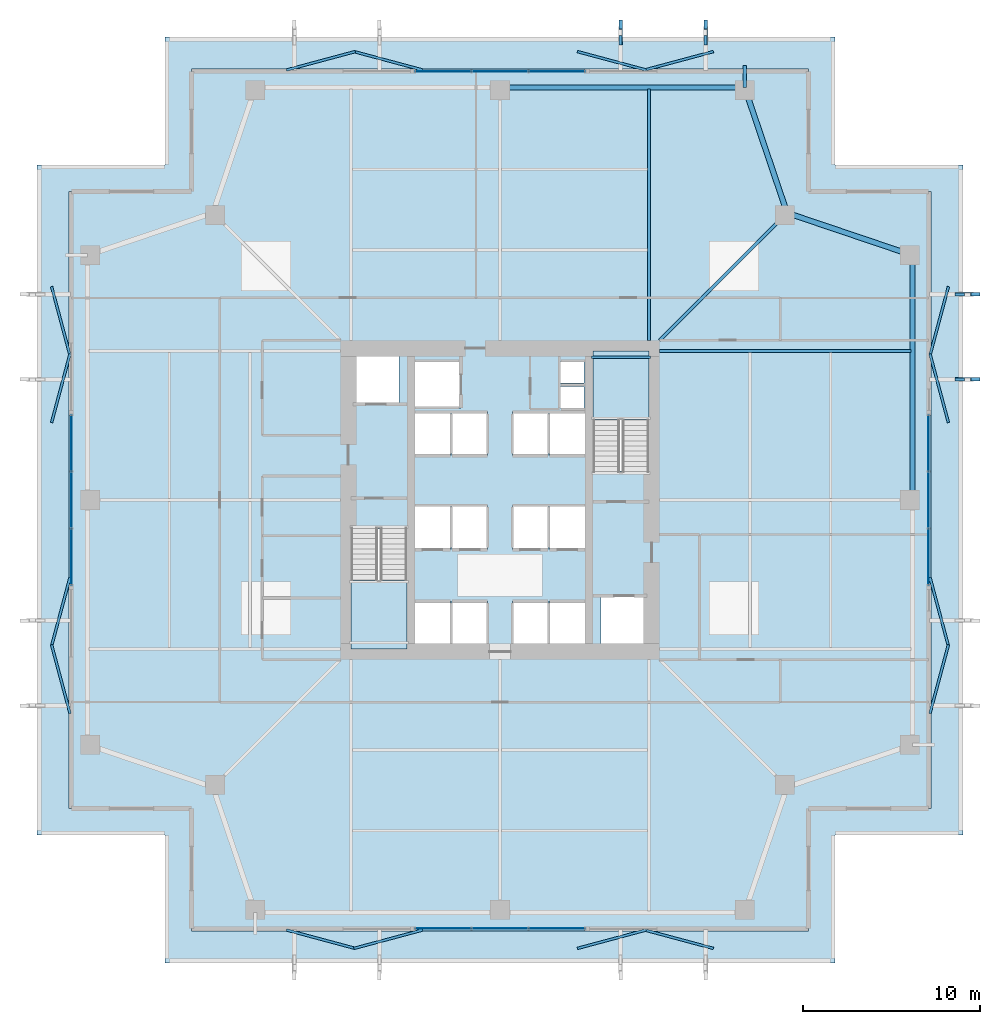
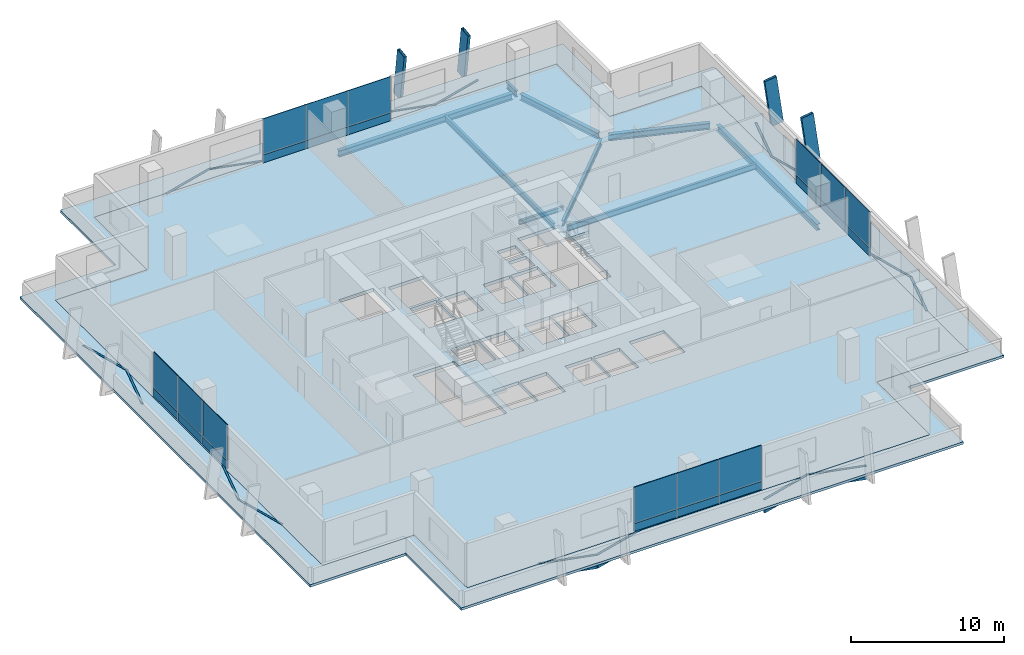
# One storey, part 11 of 16: 40 plates, 9 beams, 4 members, 4 slabs, 6 elements without a shape of their own.
"""IFC4 building model written with IfcOpenShell, lengths in metres."""

from ifc_helpers import new_model, si_unit, direction, frame, origin, origin_2d, place, context, subcontext, project, spatial, polyline, rectangle, hollow_rectangle, i_section, outline, extrude, material, layer, layer_set, material_profile, profile_set, type_object, element, aggregate, save


model = new_model("IFC4")

# Units and contexts
model_context = context("Model", 3, precision=1e-05, world=origin(), true_north=direction((0.0, 1.0)))
body_context = subcontext(model_context, "Body", "Model", "MODEL_VIEW")
ifc_project = project(units=[si_unit("LENGTHUNIT", "METRE"), si_unit("AREAUNIT", "SQUARE_METRE"), si_unit("VOLUMEUNIT", "CUBIC_METRE"), si_unit("PLANEANGLEUNIT", "RADIAN"), si_unit("MASSUNIT", "GRAM", prefix="KILO")], contexts=[model_context])

# Site, building, storey
site_placement = place(None, origin())
site = spatial("IfcSite", under=ifc_project, at=site_placement, CompositionType="ELEMENT")
building_placement = place(site_placement, origin())
building = spatial("IfcBuilding", under=site, at=building_placement, Name="Belovzor Exchange Tower", CompositionType="ELEMENT")
storey_placement = place(building_placement, frame((0.0, 0.0, 138.300048828125)))
storey = spatial("IfcBuildingStorey", under=building, at=storey_placement, Name="L33", CompositionType="ELEMENT", Elevation=138.300048828125)

# Beams
ifc_material_1 = material(Name="Steel S355", Category="steel")
ifc_material_profile_1 = material_profile(ifc_material_1, i_section(OverallWidth=0.199951171875, OverallDepth=0.5, WebThickness=0.01025390625, FlangeThickness=0.01611328125, at=origin_2d()))
ifc_profile_set_1 = profile_set([ifc_material_profile_1], Name="Steel S355")
beam_type_1 = type_object("IfcBeamType", Name="Planted Balcony Cantilever Beam IPE 500", PredefinedType="BEAM", material=ifc_profile_set_1)
beam_1_placement = place(storey_placement, frame((42.60009765625, 52.068115234375, -0.505126953125), z_axis=(0.0, 1.0, 0.0), x_axis=(-1.0, 0.0, 0.0)))
element("IfcBeam", 1, at=beam_1_placement, inside=storey, type_object=beam_type_1, Name="BC-500 Planted Balcony Cantilever Beam IPE 500", PredefinedType="BEAM", context=body_context, shape_type="SweptSolid", body=[
    extrude(i_section(OverallWidth=0.199951171875, OverallDepth=0.5, WebThickness=0.01025390625, FlangeThickness=0.01611328125, at=origin_2d()), origin(), (0.0, 0.0, 1.0), 1.23193359375),
])
ifc_material_2 = material(Name="Steel S355", Category="steel")
ifc_material_profile_2 = material_profile(ifc_material_2, i_section(OverallWidth=0.14990234375, OverallDepth=0.300048828125, WebThickness=0.007080078125, FlangeThickness=0.0107421875, at=origin_2d()))
ifc_profile_set_2 = profile_set([ifc_material_profile_2], Name="Steel S355")
beam_type_2 = type_object("IfcBeamType", Name="Secondary Trim Floor Joist IPE 300", PredefinedType="BEAM", material=ifc_profile_set_2)
beam_2_placement = place(storey_placement, frame((37.280029296875, 36.85009765625, 1.52490234375), z_axis=(-1.0, 0.0, 0.0), x_axis=(0.0, -1.0, 0.0)))
element("IfcBeam", 2, at=beam_2_placement, inside=storey, type_object=beam_type_2, Name="FJ-300 Secondary Trim Floor Joist IPE 300", PredefinedType="BEAM", context=body_context, shape_type="SweptSolid", body=[
    extrude(i_section(OverallWidth=0.14990234375, OverallDepth=0.300048828125, WebThickness=0.007080078125, FlangeThickness=0.0107421875, at=origin_2d()), origin(), (0.0, 0.0, 1.0), 3.31005859375),
])

# Members
ifc_material_3 = material(Name="Extruded Architectural Terracotta on Steel S355 Carrier", Category="masonry")
ifc_material_profile_3 = material_profile(ifc_material_3, hollow_rectangle(XDim=0.199951171875, YDim=0.89990234375, WallThickness=0.011962890625, at=origin_2d()))
ifc_profile_set_3 = profile_set([ifc_material_profile_3], Name="Extruded Architectural Terracotta on Steel S355 Carrier")
member_type = type_object("IfcMemberType", Name="Sweeping Terracotta Baguette Fin Assembly 1250", PredefinedType="USERDEFINED", material=ifc_profile_set_3)
for number, where, z_axis, x_axis, name in (
    (3, (35.60009765625, 55.425048828125, -0.255126953125), (0.0, -0.136851262382, 0.990591607063), (1.0, 0.0, 0.0), "FIN-TC125 Terracotta Facade Fin L33 N3"),
    (4, (55.425048828125, 35.60009765625, -0.255126953125), (-0.136851262382, 0.0, 0.990591607063), (0.0, -1.0, 0.0), "FIN-TC125 Terracotta Facade Fin L33 E3"),
    (5, (40.39990234375, 55.425048828125, -0.255126953125), (0.0, -0.136851262382, 0.990591607063), (1.0, 0.0, 0.0), "FIN-TC125 Terracotta Facade Fin L33 N4"),
    (6, (55.425048828125, 40.39990234375, -0.255126953125), (-0.136851262382, 0.0, 0.990591607063), (0.0, -1.0, 0.0), "FIN-TC125 Terracotta Facade Fin L33 E4"),
):
    element("IfcMember", number, at=place(storey_placement, frame(where, z_axis=z_axis, x_axis=x_axis)), inside=storey, type_object=member_type, Name=name, ObjectType="FIN", PredefinedType="USERDEFINED", context=body_context, shape_type="SweptSolid", body=[
        extrude(hollow_rectangle(XDim=0.199951171875, YDim=0.89990234375, WallThickness=0.011962890625, at=origin_2d()), origin(), (0.0, 0.0, 1.0), 3.78564453125),
    ])

# Beams
ifc_material_4 = material(Name="Steel S355", Category="steel")
ifc_material_profile_4 = material_profile(ifc_material_4, i_section(OverallWidth=0.18994140625, OverallDepth=0.449951171875, WebThickness=0.009521484375, FlangeThickness=0.0146484375, at=origin_2d()))
ifc_profile_set_4 = profile_set([ifc_material_profile_4], Name="Steel S355")
beam_type_3 = type_object("IfcBeamType", Name="Zone 2-4 Radial Composite Floor Beam IPE 450", PredefinedType="BEAM", material=ifc_profile_set_4)
for number, where, z_axis, x_axis, name in (
    (7, (37.199951171875, 37.800048828125, -0.47998046875), (0.0, 1.0, 0.0), (-1.0, 0.0, 0.0), "FB-450 Zone 2-4 Radial Composite Floor Beam IPE 450"),
    (8, (37.800048828125, 37.199951171875, -0.47998046875), (1.0, 0.0, 0.0), (0.0, 1.0, 0.0), "FB-450 Zone 2-4 Radial Composite Floor Beam IPE 450"),
):
    element("IfcBeam", number, at=place(storey_placement, frame(where, z_axis=z_axis, x_axis=x_axis)), inside=storey, type_object=beam_type_3, Name=name, PredefinedType="BEAM", context=body_context, shape_type="SweptSolid", body=[
        extrude(i_section(OverallWidth=0.18994140625, OverallDepth=0.449951171875, WebThickness=0.009521484375, FlangeThickness=0.0146484375, at=origin_2d()), origin(), (0.0, 0.0, 1.0), 14.19287109375),
    ])
beam_3_placement = place(storey_placement, frame((37.800048828125, 37.800048828125, -0.47998046875), z_axis=(0.707106781187, 0.707106781187, 0.0), x_axis=(-0.707106781187, 0.707106781187, 0.0)))
element("IfcBeam", 9, at=beam_3_placement, inside=storey, type_object=beam_type_3, Name="FB-450 Zone 2-4 Radial Composite Floor Beam IPE 450", PredefinedType="BEAM", context=body_context, shape_type="SweptSolid", body=[
    extrude(i_section(OverallWidth=0.18994140625, OverallDepth=0.449951171875, WebThickness=0.009521484375, FlangeThickness=0.0146484375, at=origin_2d()), origin(), (0.0, 0.0, 1.0), 9.70849609375),
])
ifc_material_5 = material(Name="Steel S355", Category="steel")
ifc_material_profile_5 = material_profile(ifc_material_5, i_section(OverallWidth=0.300048828125, OverallDepth=0.5, WebThickness=0.014404296875, FlangeThickness=0.028076171875, at=origin_2d()))
ifc_profile_set_5 = profile_set([ifc_material_profile_5], Name="Steel S355")
beam_type_4 = type_object("IfcBeamType", Name="Zone 3 Waist Primary Girder HEB 500", PredefinedType="BEAM", material=ifc_profile_set_5)
beam_4_placement = place(storey_placement, frame((52.068115234375, 29.157958984375, -0.505126953125), z_axis=(0.0, 1.0, 0.0), x_axis=(-1.0, 0.0, 0.0)))
element("IfcBeam", 10, at=beam_4_placement, inside=storey, type_object=beam_type_4, Name="FG-Z3 Zone 3 Waist Primary Girder HEB 500", PredefinedType="BEAM", context=body_context, shape_type="SweptSolid", body=[
    extrude(i_section(OverallWidth=0.300048828125, OverallDepth=0.5, WebThickness=0.014404296875, FlangeThickness=0.028076171875, at=origin_2d()), origin(), (0.0, 0.0, 1.0), 13.083984375),
])
for number, where, z_axis, x_axis, name in (
    (11, (51.72900390625, 42.714111328125, -0.505126953125), (-0.94740710634, 0.320030896721, 0.0), (-0.320030896721, -0.94740710634, 0.0), "FG-Z3 Zone 3 Waist Primary Girder HEB 500"),
    (12, (44.8759765625, 45.3291015625, -0.505126953125), (-0.320030896721, 0.94740710634, 0.0), (-0.94740710634, -0.320030896721, 0.0), "FG-Z3 Zone 3 Waist Primary Girder HEB 500"),
):
    element("IfcBeam", number, at=place(storey_placement, frame(where, z_axis=z_axis, x_axis=x_axis)), inside=storey, type_object=beam_type_4, Name=name, PredefinedType="BEAM", context=body_context, shape_type="SweptSolid", body=[
        extrude(i_section(OverallWidth=0.300048828125, OverallDepth=0.5, WebThickness=0.014404296875, FlangeThickness=0.028076171875, at=origin_2d()), origin(), (0.0, 0.0, 1.0), 6.755126953125),
    ])
beam_5_placement = place(storey_placement, frame((42.241943359375, 52.068115234375, -0.505126953125), z_axis=(-1.0, 0.0, 0.0), x_axis=(0.0, -1.0, 0.0)))
element("IfcBeam", 13, at=beam_5_placement, inside=storey, type_object=beam_type_4, Name="FG-Z3 Zone 3 Waist Primary Girder HEB 500", PredefinedType="BEAM", context=body_context, shape_type="SweptSolid", body=[
    extrude(i_section(OverallWidth=0.300048828125, OverallDepth=0.5, WebThickness=0.014404296875, FlangeThickness=0.028076171875, at=origin_2d()), origin(), (0.0, 0.0, 1.0), 13.083984375),
])

# Slab
ifc_material_6 = material(Name="Concrete C40/50", Category="concrete")
ifc_layer_1 = layer(ifc_material_6, 0.2548828125)
ifc_layer_set_1 = layer_set([ifc_layer_1], Name="Concrete C40/50")
slab_type_1 = type_object("IfcSlabType", Name="Composite Waist Floor Deck Slab 255", PredefinedType="FLOOR", material=ifc_layer_set_1)
slab_1_placement = place(storey_placement, frame((0.0, 0.0, -0.255126953125)))
element("IfcSlab", 14, at=slab_1_placement, inside=storey, type_object=slab_type_1, Name="SL-F255 Structural Slab L33", PredefinedType="FLOOR", context=body_context, shape_type="SweptSolid", body=[
    extrude(outline(polyline([(11.39990234375, 4.5), (46.199951171875, 4.5), (46.199951171875, 11.39990234375), (53.10009765625, 11.39990234375), (53.10009765625, 46.199951171875), (46.199951171875, 46.199951171875), (46.199951171875, 53.10009765625), (11.39990234375, 53.10009765625), (11.39990234375, 46.199951171875), (4.5, 46.199951171875), (4.5, 11.39990234375), (11.39990234375, 11.39990234375), (11.39990234375, 4.5)]), holes=[polyline([(20.39990234375, 27.175048828125), (20.39990234375, 20.39990234375), (23.550048828125, 20.39990234375), (23.550048828125, 27.175048828125), (20.39990234375, 27.175048828125)]), polyline([(37.199951171875, 30.425048828125), (37.199951171875, 37.199951171875), (34.050048828125, 37.199951171875), (34.050048828125, 30.425048828125), (37.199951171875, 30.425048828125)]), polyline([(20.5, 34.199951171875), (23.10009765625, 34.199951171875), (23.10009765625, 37.0), (20.5, 37.0), (20.5, 34.199951171875)]), polyline([(34.5, 20.60009765625), (37.10009765625, 20.60009765625), (37.10009765625, 23.39990234375), (34.5, 23.39990234375), (34.5, 20.60009765625)]), polyline([(24.0, 34.0), (26.60009765625, 34.0), (26.60009765625, 36.60009765625), (24.0, 36.60009765625), (24.0, 34.0)]), polyline([(24.0, 20.60009765625), (26.0, 20.60009765625), (26.0, 23.10009765625), (24.0, 23.10009765625), (24.0, 20.60009765625)]), polyline([(26.10009765625, 20.60009765625), (28.10009765625, 20.60009765625), (28.10009765625, 23.10009765625), (26.10009765625, 23.10009765625), (26.10009765625, 20.60009765625)]), polyline([(29.5, 20.60009765625), (31.5, 20.60009765625), (31.5, 23.10009765625), (29.5, 23.10009765625), (29.5, 20.60009765625)]), polyline([(31.60009765625, 20.60009765625), (33.60009765625, 20.60009765625), (33.60009765625, 23.10009765625), (31.60009765625, 23.10009765625), (31.60009765625, 20.60009765625)]), polyline([(24.0, 26.0), (26.0, 26.0), (26.0, 28.5), (24.0, 28.5), (24.0, 26.0)]), polyline([(26.10009765625, 26.0), (28.10009765625, 26.0), (28.10009765625, 28.5), (26.10009765625, 28.5), (26.10009765625, 26.0)]), polyline([(29.5, 26.0), (31.5, 26.0), (31.5, 28.5), (29.5, 28.5), (29.5, 26.0)]), polyline([(31.60009765625, 26.0), (33.60009765625, 26.0), (33.60009765625, 28.5), (31.60009765625, 28.5), (31.60009765625, 26.0)]), polyline([(24.0, 31.300048828125), (26.0, 31.300048828125), (26.0, 33.800048828125), (24.0, 33.800048828125), (24.0, 31.300048828125)]), polyline([(26.10009765625, 31.300048828125), (28.10009765625, 31.300048828125), (28.10009765625, 33.800048828125), (26.10009765625, 33.800048828125), (26.10009765625, 31.300048828125)]), polyline([(29.5, 31.300048828125), (31.5, 31.300048828125), (31.5, 33.800048828125), (29.5, 33.800048828125), (29.5, 31.300048828125)]), polyline([(31.60009765625, 31.300048828125), (33.60009765625, 31.300048828125), (33.60009765625, 33.800048828125), (31.60009765625, 33.800048828125), (31.60009765625, 31.300048828125)]), polyline([(32.199951171875, 34.0), (33.550048828125, 34.0), (33.550048828125, 35.199951171875), (32.199951171875, 35.199951171875), (32.199951171875, 34.0)]), polyline([(32.199951171875, 35.39990234375), (33.550048828125, 35.39990234375), (33.550048828125, 36.60009765625), (32.199951171875, 36.60009765625), (32.199951171875, 35.39990234375)])]), origin(), (0.0, 0.0, 1.0), 0.255126953125),
])

# Curtain wall, plates
ifc_material_7 = material(Name="Anodised Aluminium Framing", Category="aluminium")
ifc_layer_2 = layer(ifc_material_7, 0.179931640625)
ifc_layer_set_2 = layer_set([ifc_layer_2], Name="Anodised Aluminium Framing")
curtain_wall_type = type_object("IfcCurtainWallType", Name="Recessed Loggia Low-Iron Triple-Glazed Curtain Wall", PredefinedType="NOTDEFINED", material=ifc_layer_set_2)
curtain_wall_1_placement = place(storey_placement, origin())
curtain_wall_1 = element("IfcCurtainWall", 15, at=curtain_wall_1_placement, inside=storey, type_object=curtain_wall_type, Name="CW3 Recessed Loggia Low-Iron Triple-Glazed Curtain Wall L33", PredefinedType="NOTDEFINED")
ifc_material_8 = material(Name="Solar-Control Triple Glazing", Category="glass")
ifc_layer_3 = layer(ifc_material_8, 0.0439453125)
ifc_layer_set_3 = layer_set([ifc_layer_3], Name="Solar-Control Triple Glazing")
plate_type_1 = type_object("IfcPlateType", Name="Insulated Solar Glazing Curtain Panel 44", PredefinedType="CURTAIN_PANEL", material=ifc_layer_set_3)
plate_1_placement = place(storey_placement, frame((32.0, 4.6298828125, 0.630859375), z_axis=(0.0, 0.0, 1.0), x_axis=(-1.0, 0.0, 0.0)))
plate_1 = element("IfcPlate", 16, at=plate_1_placement, type_object=plate_type_1, Name="GLZ-44 Glazed Curtain Panel 1", PredefinedType="CURTAIN_PANEL", context=body_context, shape_type="SweptSolid", body=[
    extrude(rectangle(XDim=3.18408203125, YDim=0.0439453125, at=origin_2d()), origin(), (0.0, 0.0, 1.0), 2.864013671875),
])
plate_2_placement = place(storey_placement, frame((28.800048828125, 4.6298828125, 0.630859375), z_axis=(0.0, 0.0, 1.0), x_axis=(-1.0, 0.0, 0.0)))
plate_2 = element("IfcPlate", 17, at=plate_2_placement, type_object=plate_type_1, Name="GLZ-44 Glazed Curtain Panel 2", PredefinedType="CURTAIN_PANEL", context=body_context, shape_type="SweptSolid", body=[
    extrude(rectangle(XDim=3.18408203125, YDim=0.0439453125, at=origin_2d()), origin(), (0.0, 0.0, 1.0), 2.864013671875),
])
plate_3_placement = place(storey_placement, frame((25.60009765625, 4.6298828125, 0.630859375), z_axis=(0.0, 0.0, 1.0), x_axis=(-1.0, 0.0, 0.0)))
plate_3 = element("IfcPlate", 18, at=plate_3_placement, type_object=plate_type_1, Name="GLZ-44 Glazed Curtain Panel 3", PredefinedType="CURTAIN_PANEL", context=body_context, shape_type="SweptSolid", body=[
    extrude(rectangle(XDim=3.18408203125, YDim=0.0439453125, at=origin_2d()), origin(), (0.0, 0.0, 1.0), 2.864013671875),
])

curtain_wall_2_placement = place(storey_placement, origin())
curtain_wall_2 = element("IfcCurtainWall", 19, at=curtain_wall_2_placement, inside=storey, type_object=curtain_wall_type, Name="CW3 Recessed Loggia Low-Iron Triple-Glazed Curtain Wall L33", PredefinedType="NOTDEFINED")
plate_4_placement = place(storey_placement, frame((25.60009765625, 52.969970703125, 0.630859375), z_axis=(0.0, 0.0, 1.0), x_axis=(1.0, 0.0, 0.0)))
plate_4 = element("IfcPlate", 20, at=plate_4_placement, type_object=plate_type_1, Name="GLZ-44 Glazed Curtain Panel 1", PredefinedType="CURTAIN_PANEL", context=body_context, shape_type="SweptSolid", body=[
    extrude(rectangle(XDim=3.18408203125, YDim=0.0439453125, at=origin_2d()), origin(), (0.0, 0.0, 1.0), 2.864013671875),
])
plate_5_placement = place(storey_placement, frame((28.800048828125, 52.969970703125, 0.630859375), z_axis=(0.0, 0.0, 1.0), x_axis=(1.0, 0.0, 0.0)))
plate_5 = element("IfcPlate", 21, at=plate_5_placement, type_object=plate_type_1, Name="GLZ-44 Glazed Curtain Panel 2", PredefinedType="CURTAIN_PANEL", context=body_context, shape_type="SweptSolid", body=[
    extrude(rectangle(XDim=3.18408203125, YDim=0.0439453125, at=origin_2d()), origin(), (0.0, 0.0, 1.0), 2.864013671875),
])
plate_6_placement = place(storey_placement, frame((32.0, 52.969970703125, 0.630859375), z_axis=(0.0, 0.0, 1.0), x_axis=(1.0, 0.0, 0.0)))
plate_6 = element("IfcPlate", 22, at=plate_6_placement, type_object=plate_type_1, Name="GLZ-44 Glazed Curtain Panel 3", PredefinedType="CURTAIN_PANEL", context=body_context, shape_type="SweptSolid", body=[
    extrude(rectangle(XDim=3.18408203125, YDim=0.0439453125, at=origin_2d()), origin(), (0.0, 0.0, 1.0), 2.864013671875),
])

curtain_wall_3_placement = place(storey_placement, origin())
curtain_wall_3 = element("IfcCurtainWall", 23, at=curtain_wall_3_placement, inside=storey, type_object=curtain_wall_type, Name="CW3 Recessed Loggia Low-Iron Triple-Glazed Curtain Wall L33", PredefinedType="NOTDEFINED")
plate_7_placement = place(storey_placement, frame((4.6298828125, 25.60009765625, 0.630859375), z_axis=(0.0, 0.0, 1.0), x_axis=(0.0, 1.0, 0.0)))
plate_7 = element("IfcPlate", 24, at=plate_7_placement, type_object=plate_type_1, Name="GLZ-44 Glazed Curtain Panel 1", PredefinedType="CURTAIN_PANEL", context=body_context, shape_type="SweptSolid", body=[
    extrude(rectangle(XDim=3.18408203125, YDim=0.0439453125, at=origin_2d()), origin(), (0.0, 0.0, 1.0), 2.864013671875),
])
plate_8_placement = place(storey_placement, frame((4.6298828125, 28.800048828125, 0.630859375), z_axis=(0.0, 0.0, 1.0), x_axis=(0.0, 1.0, 0.0)))
plate_8 = element("IfcPlate", 25, at=plate_8_placement, type_object=plate_type_1, Name="GLZ-44 Glazed Curtain Panel 2", PredefinedType="CURTAIN_PANEL", context=body_context, shape_type="SweptSolid", body=[
    extrude(rectangle(XDim=3.18408203125, YDim=0.0439453125, at=origin_2d()), origin(), (0.0, 0.0, 1.0), 2.864013671875),
])
plate_9_placement = place(storey_placement, frame((4.6298828125, 32.0, 0.630859375), z_axis=(0.0, 0.0, 1.0), x_axis=(0.0, 1.0, 0.0)))
plate_9 = element("IfcPlate", 26, at=plate_9_placement, type_object=plate_type_1, Name="GLZ-44 Glazed Curtain Panel 3", PredefinedType="CURTAIN_PANEL", context=body_context, shape_type="SweptSolid", body=[
    extrude(rectangle(XDim=3.18408203125, YDim=0.0439453125, at=origin_2d()), origin(), (0.0, 0.0, 1.0), 2.864013671875),
])

curtain_wall_4_placement = place(storey_placement, origin())
curtain_wall_4 = element("IfcCurtainWall", 27, at=curtain_wall_4_placement, inside=storey, type_object=curtain_wall_type, Name="CW3 Recessed Loggia Low-Iron Triple-Glazed Curtain Wall L33", PredefinedType="NOTDEFINED")
plate_10_placement = place(storey_placement, frame((52.969970703125, 32.0, 0.630859375), z_axis=(0.0, 0.0, 1.0), x_axis=(0.0, -1.0, 0.0)))
plate_10 = element("IfcPlate", 28, at=plate_10_placement, type_object=plate_type_1, Name="GLZ-44 Glazed Curtain Panel 1", PredefinedType="CURTAIN_PANEL", context=body_context, shape_type="SweptSolid", body=[
    extrude(rectangle(XDim=3.18408203125, YDim=0.0439453125, at=origin_2d()), origin(), (0.0, 0.0, 1.0), 2.864013671875),
])
plate_11_placement = place(storey_placement, frame((52.969970703125, 28.800048828125, 0.630859375), z_axis=(0.0, 0.0, 1.0), x_axis=(0.0, -1.0, 0.0)))
plate_11 = element("IfcPlate", 29, at=plate_11_placement, type_object=plate_type_1, Name="GLZ-44 Glazed Curtain Panel 2", PredefinedType="CURTAIN_PANEL", context=body_context, shape_type="SweptSolid", body=[
    extrude(rectangle(XDim=3.18408203125, YDim=0.0439453125, at=origin_2d()), origin(), (0.0, 0.0, 1.0), 2.864013671875),
])
plate_12_placement = place(storey_placement, frame((52.969970703125, 25.60009765625, 0.630859375), z_axis=(0.0, 0.0, 1.0), x_axis=(0.0, -1.0, 0.0)))
plate_12 = element("IfcPlate", 30, at=plate_12_placement, type_object=plate_type_1, Name="GLZ-44 Glazed Curtain Panel 3", PredefinedType="CURTAIN_PANEL", context=body_context, shape_type="SweptSolid", body=[
    extrude(rectangle(XDim=3.18408203125, YDim=0.0439453125, at=origin_2d()), origin(), (0.0, 0.0, 1.0), 2.864013671875),
])

# Plates
ifc_material_9 = material(Name="Extruded Architectural Terracotta", Category="masonry")
ifc_layer_4 = layer(ifc_material_9, 0.139892578125)
ifc_layer_set_4 = layer_set([ifc_layer_4], Name="Extruded Architectural Terracotta")
plate_type_2 = type_object("IfcPlateType", Name="Mid-Tower Folded Zigzag Terracotta Spandrel Louvre 120", PredefinedType="USERDEFINED", material=ifc_layer_set_4)
for number, where, z_axis, x_axis, name in (
    (31, (18.699951171875, 4.030029296875, -1.065185546875), (0.0, 0.0, 1.0), (0.965812803231, -0.259240485101, 0.0), "LVR-ZZ2 Zigzag Terracotta Spandrel Louvre L33 S1A"),
    (32, (22.5, 4.030029296875, -1.065185546875), (0.0, 0.0, 1.0), (0.965812803231, 0.259240485101, 0.0), "LVR-ZZ2 Zigzag Terracotta Spandrel Louvre L33 S1B"),
    (33, (18.699951171875, 53.570068359375, -1.065185546875), (0.0, 0.0, 1.0), (0.965812803231, 0.259240485101, 0.0), "LVR-ZZ2 Zigzag Terracotta Spandrel Louvre L33 N1A"),
    (34, (22.5, 53.570068359375, -1.065185546875), (0.0, 0.0, 1.0), (0.965812803231, -0.259240485101, 0.0), "LVR-ZZ2 Zigzag Terracotta Spandrel Louvre L33 N1B"),
    (35, (4.030029296875, 18.699951171875, -1.065185546875), (0.0, 0.0, 1.0), (-0.259240485101, 0.965812803231, 0.0), "LVR-ZZ2 Zigzag Terracotta Spandrel Louvre L33 W1A"),
    (36, (4.030029296875, 22.5, -1.065185546875), (0.0, 0.0, 1.0), (0.259240485101, 0.965812803231, 0.0), "LVR-ZZ2 Zigzag Terracotta Spandrel Louvre L33 W1B"),
    (37, (53.570068359375, 18.699951171875, -1.065185546875), (0.0, 0.0, 1.0), (0.259240485101, 0.965812803231, 0.0), "LVR-ZZ2 Zigzag Terracotta Spandrel Louvre L33 E1A"),
    (38, (53.570068359375, 22.5, -1.065185546875), (0.0, 0.0, 1.0), (-0.259240485101, 0.965812803231, 0.0), "LVR-ZZ2 Zigzag Terracotta Spandrel Louvre L33 E1B"),
    (39, (35.10009765625, 4.030029296875, -1.065185546875), (0.0, 0.0, 1.0), (0.965812803231, 0.259240485101, 0.0), "LVR-ZZ2 Zigzag Terracotta Spandrel Louvre L33 S2A"),
    (40, (38.89990234375, 4.030029296875, -1.065185546875), (0.0, 0.0, 1.0), (0.965812803231, -0.259240485101, 0.0), "LVR-ZZ2 Zigzag Terracotta Spandrel Louvre L33 S2B"),
    (41, (35.10009765625, 53.570068359375, -1.065185546875), (0.0, 0.0, 1.0), (0.965812803231, -0.259240485101, 0.0), "LVR-ZZ2 Zigzag Terracotta Spandrel Louvre L33 N2A"),
    (42, (38.89990234375, 53.570068359375, -1.065185546875), (0.0, 0.0, 1.0), (0.965812803231, 0.259240485101, 0.0), "LVR-ZZ2 Zigzag Terracotta Spandrel Louvre L33 N2B"),
    (43, (4.030029296875, 35.10009765625, -1.065185546875), (0.0, 0.0, 1.0), (0.259240485101, 0.965812803231, 0.0), "LVR-ZZ2 Zigzag Terracotta Spandrel Louvre L33 W2A"),
    (44, (4.030029296875, 38.89990234375, -1.065185546875), (0.0, 0.0, 1.0), (-0.259240485101, 0.965812803231, 0.0), "LVR-ZZ2 Zigzag Terracotta Spandrel Louvre L33 W2B"),
    (45, (53.570068359375, 35.10009765625, -1.065185546875), (0.0, 0.0, 1.0), (-0.259240485101, 0.965812803231, 0.0), "LVR-ZZ2 Zigzag Terracotta Spandrel Louvre L33 E2A"),
    (46, (53.570068359375, 38.89990234375, -1.065185546875), (0.0, 0.0, 1.0), (0.259240485101, 0.965812803231, 0.0), "LVR-ZZ2 Zigzag Terracotta Spandrel Louvre L33 E2B"),
):
    element("IfcPlate", number, at=place(storey_placement, frame(where, z_axis=z_axis, x_axis=x_axis)), inside=storey, type_object=plate_type_2, Name=name, ObjectType="SPANDREL_LOUVRE", PredefinedType="USERDEFINED", context=body_context, shape_type="SweptSolid", body=[
        extrude(rectangle(XDim=4.014892578125, YDim=0.139892578125, at=origin_2d()), origin(), (0.0, 0.0, 1.0), 1.080078125),
    ])

# Stair, slab
ifc_material_10 = material(Name="Concrete C40/50", Category="concrete")
stair_type = type_object("IfcStairType", Name="Reinforced Concrete Dogleg Escape Stair 1350", PredefinedType="HALF_TURN_STAIR", material=ifc_material_10)
stair_1_placement = place(storey_placement, origin())
stair_1 = element("IfcStair", 47, at=stair_1_placement, inside=storey, type_object=stair_type, Name="L33 ST-1", PredefinedType="HALF_TURN_STAIR")
ifc_material_11 = material(Name="Concrete C40/50", Category="concrete")
ifc_layer_5 = layer(ifc_material_11, 0.199951171875)
ifc_layer_set_5 = layer_set([ifc_layer_5], Name="Concrete C40/50")
slab_type_2 = type_object("IfcSlabType", Name="Reinforced Concrete Stair Half-Landing Slab 200", PredefinedType="LANDING", material=ifc_layer_set_5)
slab_2_placement = place(storey_placement, frame((0.0, 0.0, 1.675048828125)))
slab_2 = element("IfcSlab", 48, at=slab_2_placement, type_object=slab_type_2, Name="ST-1 landing 1", PredefinedType="LANDING", context=body_context, shape_type="SweptSolid", body=[
    extrude(outline(polyline([(20.39990234375, 24.300048828125), (20.39990234375, 20.39990234375), (23.550048828125, 20.39990234375), (23.550048828125, 24.300048828125), (20.39990234375, 24.300048828125)])), origin(), (0.0, 0.0, 1.0), 0.199951171875),
])
aggregate(stair_1, [slab_2])

stair_2_placement = place(storey_placement, origin())
stair_2 = element("IfcStair", 49, at=stair_2_placement, inside=storey, type_object=stair_type, Name="L33 ST-2", PredefinedType="HALF_TURN_STAIR")
slab_3_placement = place(storey_placement, frame((0.0, 0.0, 1.675048828125)))
slab_3 = element("IfcSlab", 50, at=slab_3_placement, type_object=slab_type_2, Name="ST-2 landing 1", PredefinedType="LANDING", context=body_context, shape_type="SweptSolid", body=[
    extrude(outline(polyline([(37.199951171875, 33.300048828125), (37.199951171875, 37.199951171875), (34.050048828125, 37.199951171875), (34.050048828125, 33.300048828125), (37.199951171875, 33.300048828125)])), origin(), (0.0, 0.0, 1.0), 0.199951171875),
])
aggregate(stair_2, [slab_3])

# Slab
ifc_material_12 = material(Name="Concrete C40/50", Category="concrete")
ifc_layer_6 = layer(ifc_material_12, 0.199951171875)
ifc_layer_set_6 = layer_set([ifc_layer_6], Name="Concrete C40/50")
slab_type_3 = type_object("IfcSlabType", Name="Setback Weathering Roof Ring Slab 200", PredefinedType="ROOF", material=ifc_layer_set_6)
slab_4_placement = place(storey_placement, frame((0.0, 0.0, -0.199951171875)))
element("IfcSlab", 51, at=slab_4_placement, inside=storey, type_object=slab_type_3, Name="SL-RF200A Setback Weathering Roof Ring L32", PredefinedType="ROOF", context=body_context, shape_type="SweptSolid", body=[
    extrude(outline(polyline([(9.89990234375, 2.699951171875), (47.699951171875, 2.699951171875), (47.699951171875, 9.89990234375), (54.89990234375, 9.89990234375), (54.89990234375, 47.699951171875), (47.699951171875, 47.699951171875), (47.699951171875, 54.89990234375), (9.89990234375, 54.89990234375), (9.89990234375, 47.699951171875), (2.699951171875, 47.699951171875), (2.699951171875, 9.89990234375), (9.89990234375, 9.89990234375), (9.89990234375, 2.699951171875)]), holes=[polyline([(11.39990234375, 4.5), (46.199951171875, 4.5), (46.199951171875, 11.39990234375), (53.10009765625, 11.39990234375), (53.10009765625, 46.199951171875), (46.199951171875, 46.199951171875), (46.199951171875, 53.10009765625), (11.39990234375, 53.10009765625), (11.39990234375, 46.199951171875), (4.5, 46.199951171875), (4.5, 11.39990234375), (11.39990234375, 11.39990234375), (11.39990234375, 4.5)])]), origin(), (0.0, 0.0, 1.0), 0.199951171875),
])

# Plate
ifc_material_13 = material(Name="Extruded Architectural Terracotta", Category="masonry")
ifc_layer_7 = layer(ifc_material_13, 0.090087890625)
ifc_layer_set_7 = layer_set([ifc_layer_7], Name="Extruded Architectural Terracotta")
plate_type_3 = type_object("IfcPlateType", Name="Terracotta Shadow-Box Spandrel Panel 90", PredefinedType="CURTAIN_PANEL", material=ifc_layer_set_7)
plate_13_placement = place(storey_placement, frame((32.0, 4.6298828125, 0.00048828125), z_axis=(0.0, 0.0, 1.0), x_axis=(-1.0, 0.0, 0.0)))
plate_13 = element("IfcPlate", 52, at=plate_13_placement, type_object=plate_type_3, Name="SPD-90 Spandrel Panel 1", PredefinedType="CURTAIN_PANEL", context=body_context, shape_type="SweptSolid", body=[
    extrude(rectangle(XDim=3.18408203125, YDim=0.090087890625, at=origin_2d()), origin(), (0.0, 0.0, 1.0), 0.626953125),
])

plate_14_placement = place(storey_placement, frame((28.800048828125, 4.6298828125, 0.00048828125), z_axis=(0.0, 0.0, 1.0), x_axis=(-1.0, 0.0, 0.0)))
plate_14 = element("IfcPlate", 53, at=plate_14_placement, type_object=plate_type_3, Name="SPD-90 Spandrel Panel 2", PredefinedType="CURTAIN_PANEL", context=body_context, shape_type="SweptSolid", body=[
    extrude(rectangle(XDim=3.18408203125, YDim=0.090087890625, at=origin_2d()), origin(), (0.0, 0.0, 1.0), 0.626953125),
])

plate_15_placement = place(storey_placement, frame((25.60009765625, 4.6298828125, 0.00048828125), z_axis=(0.0, 0.0, 1.0), x_axis=(-1.0, 0.0, 0.0)))
plate_15 = element("IfcPlate", 54, at=plate_15_placement, type_object=plate_type_3, Name="SPD-90 Spandrel Panel 3", PredefinedType="CURTAIN_PANEL", context=body_context, shape_type="SweptSolid", body=[
    extrude(rectangle(XDim=3.18408203125, YDim=0.090087890625, at=origin_2d()), origin(), (0.0, 0.0, 1.0), 0.626953125),
])

aggregate(curtain_wall_1, [plate_13, plate_1, plate_14, plate_2, plate_15, plate_3])

plate_16_placement = place(storey_placement, frame((25.60009765625, 52.969970703125, 0.00048828125), z_axis=(0.0, 0.0, 1.0), x_axis=(1.0, 0.0, 0.0)))
plate_16 = element("IfcPlate", 55, at=plate_16_placement, type_object=plate_type_3, Name="SPD-90 Spandrel Panel 1", PredefinedType="CURTAIN_PANEL", context=body_context, shape_type="SweptSolid", body=[
    extrude(rectangle(XDim=3.18408203125, YDim=0.090087890625, at=origin_2d()), origin(), (0.0, 0.0, 1.0), 0.626953125),
])

plate_17_placement = place(storey_placement, frame((28.800048828125, 52.969970703125, 0.00048828125), z_axis=(0.0, 0.0, 1.0), x_axis=(1.0, 0.0, 0.0)))
plate_17 = element("IfcPlate", 56, at=plate_17_placement, type_object=plate_type_3, Name="SPD-90 Spandrel Panel 2", PredefinedType="CURTAIN_PANEL", context=body_context, shape_type="SweptSolid", body=[
    extrude(rectangle(XDim=3.18408203125, YDim=0.090087890625, at=origin_2d()), origin(), (0.0, 0.0, 1.0), 0.626953125),
])

plate_18_placement = place(storey_placement, frame((32.0, 52.969970703125, 0.00048828125), z_axis=(0.0, 0.0, 1.0), x_axis=(1.0, 0.0, 0.0)))
plate_18 = element("IfcPlate", 57, at=plate_18_placement, type_object=plate_type_3, Name="SPD-90 Spandrel Panel 3", PredefinedType="CURTAIN_PANEL", context=body_context, shape_type="SweptSolid", body=[
    extrude(rectangle(XDim=3.18408203125, YDim=0.090087890625, at=origin_2d()), origin(), (0.0, 0.0, 1.0), 0.626953125),
])

aggregate(curtain_wall_2, [plate_16, plate_4, plate_17, plate_5, plate_18, plate_6])

plate_19_placement = place(storey_placement, frame((4.6298828125, 25.60009765625, 0.00048828125), z_axis=(0.0, 0.0, 1.0), x_axis=(0.0, 1.0, 0.0)))
plate_19 = element("IfcPlate", 58, at=plate_19_placement, type_object=plate_type_3, Name="SPD-90 Spandrel Panel 1", PredefinedType="CURTAIN_PANEL", context=body_context, shape_type="SweptSolid", body=[
    extrude(rectangle(XDim=3.18408203125, YDim=0.090087890625, at=origin_2d()), origin(), (0.0, 0.0, 1.0), 0.626953125),
])

plate_20_placement = place(storey_placement, frame((4.6298828125, 28.800048828125, 0.00048828125), z_axis=(0.0, 0.0, 1.0), x_axis=(0.0, 1.0, 0.0)))
plate_20 = element("IfcPlate", 59, at=plate_20_placement, type_object=plate_type_3, Name="SPD-90 Spandrel Panel 2", PredefinedType="CURTAIN_PANEL", context=body_context, shape_type="SweptSolid", body=[
    extrude(rectangle(XDim=3.18408203125, YDim=0.090087890625, at=origin_2d()), origin(), (0.0, 0.0, 1.0), 0.626953125),
])

plate_21_placement = place(storey_placement, frame((4.6298828125, 32.0, 0.00048828125), z_axis=(0.0, 0.0, 1.0), x_axis=(0.0, 1.0, 0.0)))
plate_21 = element("IfcPlate", 60, at=plate_21_placement, type_object=plate_type_3, Name="SPD-90 Spandrel Panel 3", PredefinedType="CURTAIN_PANEL", context=body_context, shape_type="SweptSolid", body=[
    extrude(rectangle(XDim=3.18408203125, YDim=0.090087890625, at=origin_2d()), origin(), (0.0, 0.0, 1.0), 0.626953125),
])

aggregate(curtain_wall_3, [plate_19, plate_7, plate_20, plate_8, plate_21, plate_9])

plate_22_placement = place(storey_placement, frame((52.969970703125, 32.0, 0.00048828125), z_axis=(0.0, 0.0, 1.0), x_axis=(0.0, -1.0, 0.0)))
plate_22 = element("IfcPlate", 61, at=plate_22_placement, type_object=plate_type_3, Name="SPD-90 Spandrel Panel 1", PredefinedType="CURTAIN_PANEL", context=body_context, shape_type="SweptSolid", body=[
    extrude(rectangle(XDim=3.18408203125, YDim=0.090087890625, at=origin_2d()), origin(), (0.0, 0.0, 1.0), 0.626953125),
])

plate_23_placement = place(storey_placement, frame((52.969970703125, 28.800048828125, 0.00048828125), z_axis=(0.0, 0.0, 1.0), x_axis=(0.0, -1.0, 0.0)))
plate_23 = element("IfcPlate", 62, at=plate_23_placement, type_object=plate_type_3, Name="SPD-90 Spandrel Panel 2", PredefinedType="CURTAIN_PANEL", context=body_context, shape_type="SweptSolid", body=[
    extrude(rectangle(XDim=3.18408203125, YDim=0.090087890625, at=origin_2d()), origin(), (0.0, 0.0, 1.0), 0.626953125),
])

plate_24_placement = place(storey_placement, frame((52.969970703125, 25.60009765625, 0.00048828125), z_axis=(0.0, 0.0, 1.0), x_axis=(0.0, -1.0, 0.0)))
plate_24 = element("IfcPlate", 63, at=plate_24_placement, type_object=plate_type_3, Name="SPD-90 Spandrel Panel 3", PredefinedType="CURTAIN_PANEL", context=body_context, shape_type="SweptSolid", body=[
    extrude(rectangle(XDim=3.18408203125, YDim=0.090087890625, at=origin_2d()), origin(), (0.0, 0.0, 1.0), 0.626953125),
])

aggregate(curtain_wall_4, [plate_22, plate_10, plate_23, plate_11, plate_24, plate_12])

save(model, "model.ifc")
